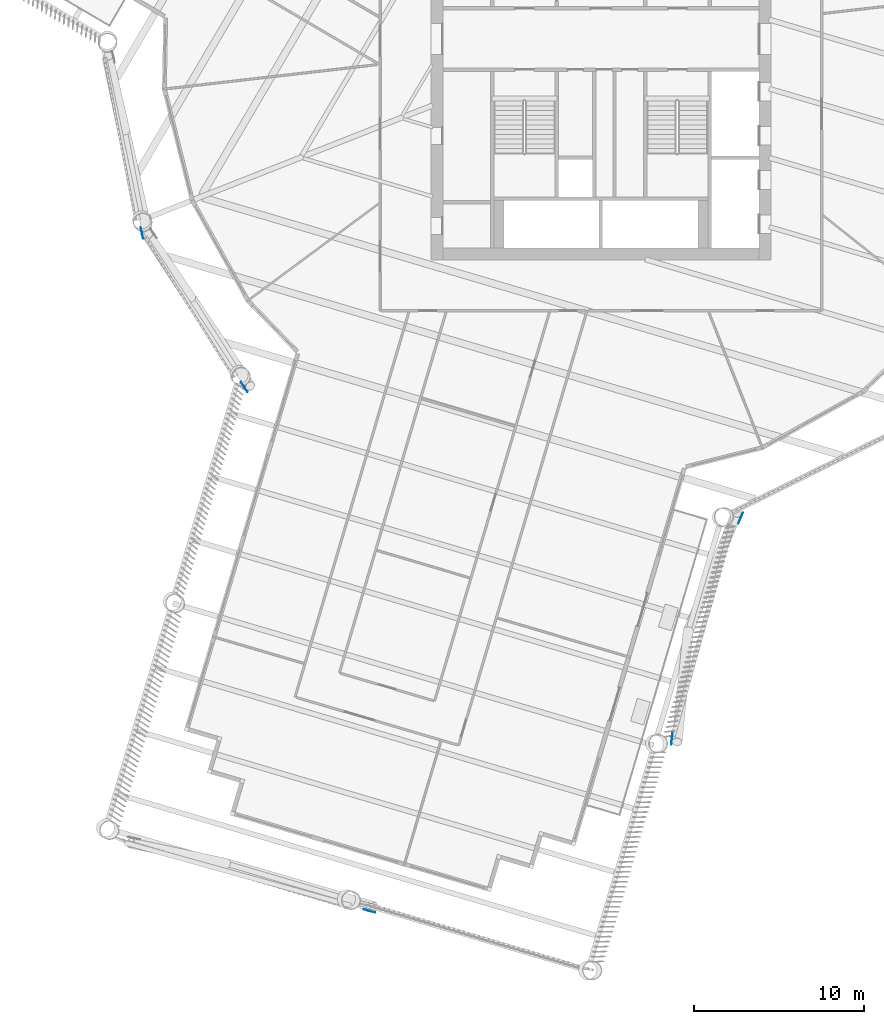
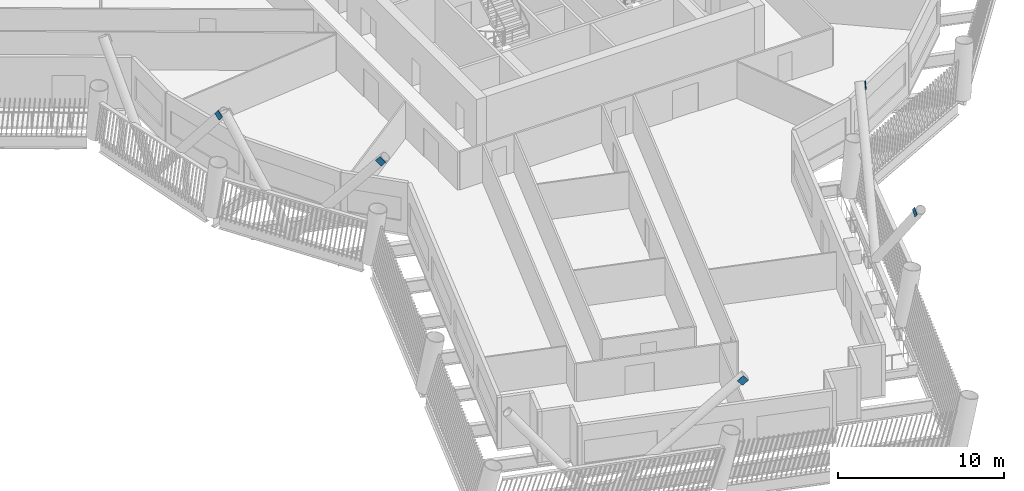
# One storey, part 8 of 23: 5 discrete accessories.
"""IFC4 building model written with IfcOpenShell, lengths in metres."""

from ifc_helpers import new_model, si_unit, direction, frame, origin, origin_2d, place, context, subcontext, project, spatial, rectangle, extrude, material, material_profile, profile_set, type_object, element, save


model = new_model("IFC4")

# Units and contexts
model_context = context("Model", 3, precision=1e-05, world=origin(), true_north=direction((0.0, 1.0)))
body_context = subcontext(model_context, "Body", "Model", "MODEL_VIEW")
ifc_project = project(units=[si_unit("LENGTHUNIT", "METRE"), si_unit("AREAUNIT", "SQUARE_METRE"), si_unit("VOLUMEUNIT", "CUBIC_METRE"), si_unit("PLANEANGLEUNIT", "RADIAN"), si_unit("MASSUNIT", "GRAM", prefix="KILO")], contexts=[model_context])

# Site, building, storey
site_placement = place(None, origin())
site = spatial("IfcSite", under=ifc_project, at=site_placement, CompositionType="ELEMENT")
building_placement = place(site_placement, origin())
building = spatial("IfcBuilding", under=site, at=building_placement, Name="Tarsis Ring Headquarters", CompositionType="ELEMENT")
storey_placement = place(building_placement, frame((0.0, 0.0, 155.39990234375)))
storey = spatial("IfcBuildingStorey", under=building, at=storey_placement, Name="L35", CompositionType="ELEMENT", Elevation=155.39990234375)

# Discrete accessories
ifc_material = material(Name="Structural steel S355", Category="steel")
ifc_material_profile = material_profile(ifc_material, rectangle(XDim=0.02490234375, YDim=0.5, at=origin_2d()), Name="PL 25x500")
ifc_profile_set = profile_set([ifc_material_profile], Name="Structural steel S355")
discrete_accessory_type = type_object("IfcDiscreteAccessoryType", Name="Gusset plate Exo brace 25", PredefinedType="BRACKET", material=ifc_profile_set)
discrete_accessory_1_placement = place(storey_placement, frame((-20.907470703125, -20.613037109375, 7.800048828125), z_axis=(-0.350090728463, 0.520497512611, -0.778793182565), x_axis=(-0.829767989063, -0.558108487954, 0.0)))
element("IfcDiscreteAccessory", 1, at=discrete_accessory_1_placement, inside=storey, type_object=discrete_accessory_type, Name="Gusset plate GP5", PredefinedType="BRACKET", context=body_context, shape_type="SweptSolid", body=[
    extrude(rectangle(XDim=0.02490234375, YDim=0.5, at=origin_2d()), origin(), (0.0, 0.0, 1.0), 0.5),
])
discrete_accessory_2_placement = place(storey_placement, frame((-13.451904296875, -51.3857421875, 7.800048828125), z_axis=(-0.727240752295, 0.212946251176, -0.65251420085), x_axis=(-0.281014589839, -0.959703496033, 0.0)))
element("IfcDiscreteAccessory", 2, at=discrete_accessory_2_placement, inside=storey, type_object=discrete_accessory_type, Name="Gusset plate GP5", PredefinedType="BRACKET", context=body_context, shape_type="SweptSolid", body=[
    extrude(rectangle(XDim=0.02490234375, YDim=0.5, at=origin_2d()), origin(), (0.0, 0.0, 1.0), 0.499755859375),
])
for number, where, z_axis, x_axis, name in (
    (3, (8.28564453125, -28.048583984375, 7.800048828125), (-0.264182233749, -0.63921357482, -0.722228324796), (0.924180171937, -0.381956816668, 0.0), "Gusset plate GP5"),
    (4, (4.158203125, -41.344970703125, 7.800048828125), (0.065433798396, 0.641641873823, -0.764208167834), (-0.99484038227, 0.101452519957, 0.0), "Gusset plate GP5"),
    (5, (-26.981201171875, -11.577392578125, 7.800048828125), (-0.136229202053, 0.612298994172, -0.778801352236), (-0.976132081947, -0.217177712012, 0.0), "Gusset plate GP5"),
):
    element("IfcDiscreteAccessory", number, at=place(storey_placement, frame(where, z_axis=z_axis, x_axis=x_axis)), inside=storey, type_object=discrete_accessory_type, Name=name, PredefinedType="BRACKET", context=body_context, shape_type="SweptSolid", body=[
        extrude(rectangle(XDim=0.02490234375, YDim=0.5, at=origin_2d()), origin(), (0.0, 0.0, 1.0), 0.5),
    ])

save(model, "model.ifc")
